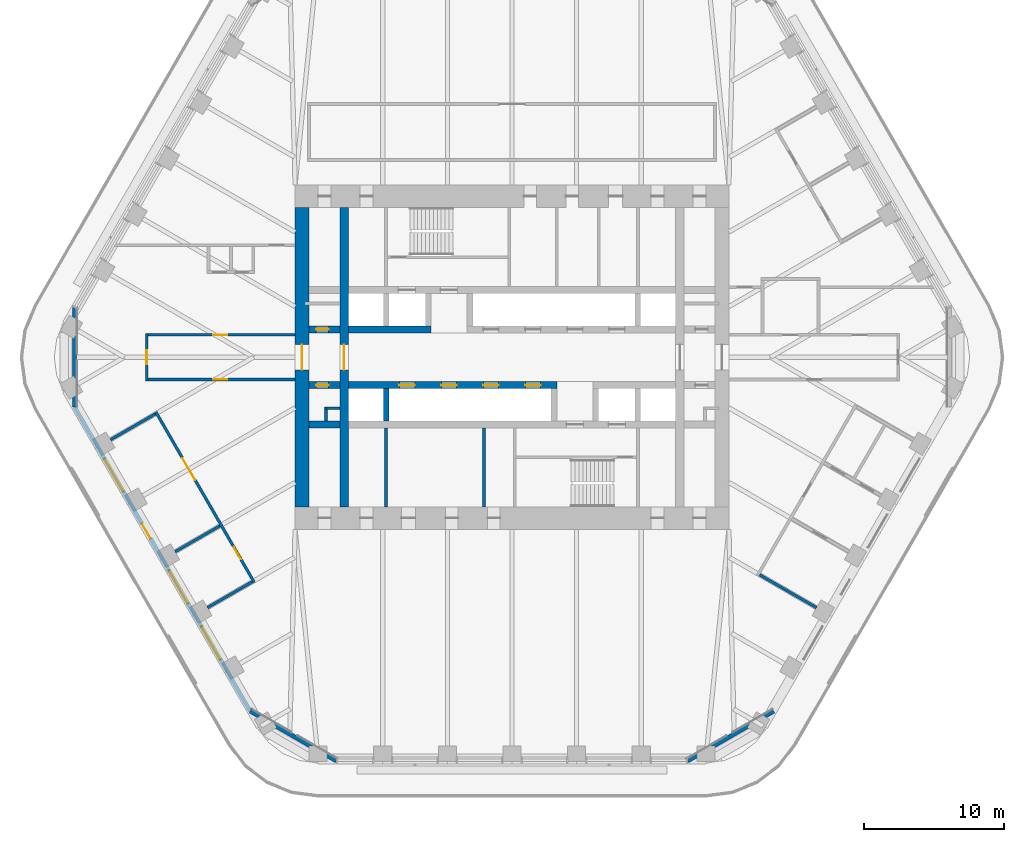
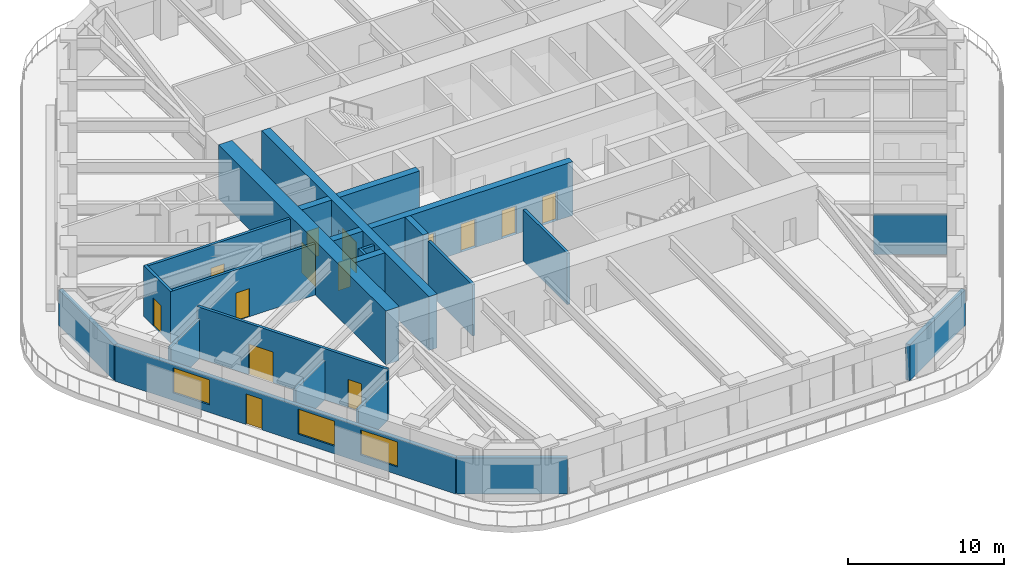
# One storey, part 14 of 20: 24 walls, 14 doors, 3 windows, 17 openings.
"""IFC4 building model written with IfcOpenShell, lengths in metres."""

from ifc_helpers import new_model, si_unit, direction, frame, frame_2d, origin, place, context, subcontext, project, spatial, rectangle, extrude, material, layer, layer_set, type_object, element, fill, save


model = new_model("IFC4")

# Units and contexts
model_context = context("Model", 3, precision=1e-05, world=origin(), true_north=direction((0.0, 1.0)))
body_context = subcontext(model_context, "Body", "Model", "MODEL_VIEW")
ifc_project = project(units=[si_unit("LENGTHUNIT", "METRE"), si_unit("AREAUNIT", "SQUARE_METRE"), si_unit("VOLUMEUNIT", "CUBIC_METRE"), si_unit("PLANEANGLEUNIT", "RADIAN"), si_unit("MASSUNIT", "GRAM", prefix="KILO")], contexts=[model_context])

# Site, building, storey
site_placement = place(None, origin())
site = spatial("IfcSite", under=ifc_project, at=site_placement, CompositionType="ELEMENT")
building_placement = place(site_placement, origin())
building = spatial("IfcBuilding", under=site, at=building_placement, Name="Tarfa Lantern Tower", CompositionType="ELEMENT")
storey_placement = place(building_placement, frame((0.0, 0.0, 249.10009765625)))
storey = spatial("IfcBuildingStorey", under=building, at=storey_placement, Name="L56", CompositionType="ELEMENT", Elevation=249.10009765625)

# Walls
ifc_material_1 = material(Name="Limestone cladding on blockwork", Category="masonry")
ifc_layer_1 = layer(ifc_material_1, 0.300048828125)
ifc_layer_set_1 = layer_set([ifc_layer_1], Name="EW1 STONE-CLAD WALL 300")
wall_type_1 = type_object("IfcWallType", Name="EW1 STONE-CLAD WALL 300", PredefinedType="SOLIDWALL", material=ifc_layer_set_1)
wall_1_placement = place(storey_placement, frame((-31.262939453125, 3.55078125, 0.0), z_axis=(0.0, 0.0, 1.0), x_axis=(0.0, -1.0, 0.0)))
element("IfcWall", 1, at=wall_1_placement, inside=storey, type_object=wall_type_1, Name="Garden wall NW-SW", PredefinedType="SOLIDWALL", context=body_context, shape_type="SweptSolid", body=[
    extrude(rectangle(XDim=7.1015625, YDim=0.300048828125, at=frame_2d((3.55078125, 0.0))), origin(), (0.0, 0.0, 1.0), 2.7998046875),
])
for number, where, z_axis, x_axis, name in (
    (2, (-18.70654296875, -25.299072265625, 0.0), (0.0, 0.0, 1.0), (0.866010973379, -0.500024993363, 0.0), "Garden wall SW-S"),
    (3, (12.556396484375, -28.85009765625, 0.0), (0.0, 0.0, 1.0), (0.866010973379, 0.500024993363, 0.0), "Garden wall S-SE"),
):
    element("IfcWall", number, at=place(storey_placement, frame(where, z_axis=z_axis, x_axis=x_axis)), inside=storey, type_object=wall_type_1, Name=name, PredefinedType="SOLIDWALL", context=body_context, shape_type="SweptSolid", body=[
        extrude(rectangle(XDim=7.101806640625, YDim=0.300048828125, at=frame_2d((3.55078125, 0.0))), origin(), (0.0, 0.0, 1.0), 2.7998046875),
    ])

# Wall, openings, door, windows
wall_2_placement = place(storey_placement, frame((-31.262939453125, -3.55078125, 0.0), z_axis=(0.0, 0.0, 1.0), x_axis=(0.500000442367, -0.866025148383, 0.0)))
wall_2 = element("IfcWall", 4, at=wall_2_placement, inside=storey, type_object=wall_type_1, Name="Stone wall SW", PredefinedType="SOLIDWALL", context=body_context, shape_type="SweptSolid", body=[
    extrude(rectangle(XDim=25.11279296875, YDim=0.300048828125, at=frame_2d((12.556396484375, 0.0))), origin(), (0.0, 0.0, 1.0), 2.7998046875),
])
opening_1_placement = place(wall_2_placement, frame((4.2783203125, 0.0, 0.60009765625)))
opening_1 = element("IfcOpeningElement", 5, at=opening_1_placement, cuts=wall_2, Name="Opening W14", PredefinedType="OPENING", context=body_context, shape_type="SweptSolid", body=[
    extrude(rectangle(XDim=2.699951171875, YDim=1.949951171875, at=frame_2d((1.35009765625, 0.97509765625))), frame((0.0, 0.159912109375, 0.0), z_axis=(0.0, -1.0, 0.0), x_axis=(1.0, 0.0, 0.0)), (0.0, 0.0, 1.0), 0.320068359375),
])
opening_2_placement = place(wall_2_placement, frame((9.64697265625, 0.0, 0.0)))
opening_2 = element("IfcOpeningElement", 6, at=opening_2_placement, cuts=wall_2, Name="Opening D49", PredefinedType="OPENING", context=body_context, shape_type="SweptSolid", body=[
    extrude(rectangle(XDim=1.199951171875, YDim=2.39990234375, at=frame_2d((0.60009765625, 1.199951171875))), frame((0.0, 0.159912109375, 0.0), z_axis=(0.0, -1.0, 0.0), x_axis=(1.0, 0.0, 0.0)), (0.0, 0.0, 1.0), 0.320068359375),
])
opening_3_placement = place(wall_2_placement, frame((13.515869140625, 0.0, 0.60009765625)))
opening_3 = element("IfcOpeningElement", 7, at=opening_3_placement, cuts=wall_2, Name="Opening W14", PredefinedType="OPENING", context=body_context, shape_type="SweptSolid", body=[
    extrude(rectangle(XDim=2.699951171875, YDim=1.949951171875, at=frame_2d((1.35009765625, 0.97509765625))), frame((0.0, 0.159912109375, 0.0), z_axis=(0.0, -1.0, 0.0), x_axis=(1.0, 0.0, 0.0)), (0.0, 0.0, 1.0), 0.320068359375),
])
opening_4_placement = place(wall_2_placement, frame((18.134521484375, 0.0, 0.60009765625)))
opening_4 = element("IfcOpeningElement", 8, at=opening_4_placement, cuts=wall_2, Name="Opening W14", PredefinedType="OPENING", context=body_context, shape_type="SweptSolid", body=[
    extrude(rectangle(XDim=2.699951171875, YDim=1.949951171875, at=frame_2d((1.35009765625, 0.97509765625))), frame((0.0, 0.159912109375, 0.0), z_axis=(0.0, -1.0, 0.0), x_axis=(1.0, 0.0, 0.0)), (0.0, 0.0, 1.0), 0.320068359375),
])
ifc_material_2 = material(Name="Aluminium framed glazed door", Category="aluminium")
door_type_1 = type_object("IfcDoorType", Name="BE3 BALCONY DOOR 1200x2400", OperationType="SINGLE_SWING_RIGHT", PredefinedType="DOOR", material=ifc_material_2)
door_1_placement = place(opening_2_placement, origin())
door_1 = element("IfcDoor", 9, at=door_1_placement, inside=storey, type_object=door_type_1, Name="Balcony door SW", OperationType="SINGLE_SWING_RIGHT", OverallHeight=2.39990234375, OverallWidth=1.199951171875, PredefinedType="DOOR", context=body_context, shape_type="SweptSolid", body=[
    extrude(rectangle(XDim=1.199951171875, YDim=2.39990234375, at=frame_2d((0.60009765625, 1.199951171875))), frame((0.0, 0.02490234375, 0.0), z_axis=(0.0, -1.0, 0.0), x_axis=(1.0, 0.0, 0.0)), (0.0, 0.0, 1.0), 0.050048828125),
])
fill(opening_2, door_1)
ifc_material_3 = material(Name="Aluminium frame, double glazed", Category="aluminium")
window_type = type_object("IfcWindowType", Name="W14 FULL-HEIGHT GLAZING 2700x1950", PartitioningType="SINGLE_PANEL", PredefinedType="WINDOW", material=ifc_material_3)
window_1_placement = place(opening_1_placement, origin())
window_1 = element("IfcWindow", 10, at=window_1_placement, inside=storey, type_object=window_type, Name="Window SW 2", OverallHeight=1.949951171875, OverallWidth=2.699951171875, PartitioningType="SINGLE_PANEL", PredefinedType="WINDOW", context=body_context, shape_type="SweptSolid", body=[
    extrude(rectangle(XDim=2.699951171875, YDim=1.949951171875, at=frame_2d((1.35009765625, 0.97509765625))), frame((0.0, 0.030029296875, 0.0), z_axis=(0.0, -1.0, 0.0), x_axis=(1.0, 0.0, 0.0)), (0.0, 0.0, 1.0), 0.06005859375),
])
fill(opening_1, window_1)
window_2_placement = place(opening_3_placement, origin())
window_2 = element("IfcWindow", 11, at=window_2_placement, inside=storey, type_object=window_type, Name="Window SW 4", OverallHeight=1.949951171875, OverallWidth=2.699951171875, PartitioningType="SINGLE_PANEL", PredefinedType="WINDOW", context=body_context, shape_type="SweptSolid", body=[
    extrude(rectangle(XDim=2.699951171875, YDim=1.949951171875, at=frame_2d((1.35009765625, 0.97509765625))), frame((0.0, 0.030029296875, 0.0), z_axis=(0.0, -1.0, 0.0), x_axis=(1.0, 0.0, 0.0)), (0.0, 0.0, 1.0), 0.06005859375),
])
fill(opening_3, window_2)
window_3_placement = place(opening_4_placement, origin())
window_3 = element("IfcWindow", 12, at=window_3_placement, inside=storey, type_object=window_type, Name="Window SW 5", OverallHeight=1.949951171875, OverallWidth=2.699951171875, PartitioningType="SINGLE_PANEL", PredefinedType="WINDOW", context=body_context, shape_type="SweptSolid", body=[
    extrude(rectangle(XDim=2.699951171875, YDim=1.949951171875, at=frame_2d((1.35009765625, 0.97509765625))), frame((0.0, 0.030029296875, 0.0), z_axis=(0.0, -1.0, 0.0), x_axis=(1.0, 0.0, 0.0)), (0.0, 0.0, 1.0), 0.06005859375),
])
fill(opening_4, window_3)

# Walls
ifc_material_4 = material(Name="Concrete blockwork", Category="masonry")
ifc_layer_2 = layer(ifc_material_4, 0.199951171875)
ifc_layer_set_2 = layer_set([ifc_layer_2], Name="IW1 BLOCKWORK PARTITION 200 EI 120")
wall_type_2 = type_object("IfcWallType", Name="IW1 BLOCKWORK PARTITION 200 EI 120", PredefinedType="PARTITIONING", material=ifc_layer_set_2)
for number, where, z_axis, x_axis, name in (
    (13, (-9.0, -5.050048828125, 0.0), (0.0, 0.0, 1.0), (0.0, -1.0, 0.0), "Core partition"),
    (14, (-2.0, -5.050048828125, 0.0), (0.0, 0.0, 1.0), (0.0, -1.0, 0.0), "Core partition"),
):
    element("IfcWall", number, at=place(storey_placement, frame(where, z_axis=z_axis, x_axis=x_axis)), inside=storey, type_object=wall_type_2, Name=name, PredefinedType="PARTITIONING", context=body_context, shape_type="SweptSolid", body=[
        extrude(rectangle(XDim=5.64990234375, YDim=0.199951171875, at=frame_2d((2.824951171875, 0.0))), origin(), (0.0, 0.0, 1.0), 4.0),
    ])
for number, where, z_axis, x_axis, name in (
    (15, (-12.300048828125, -3.64990234375, 0.0), (0.0, 0.0, 1.0), (-1.0, 0.0, 0.0), "Core partition"),
    (16, (-13.300048828125, -3.550048828125, 0.0), (0.0, 0.0, 1.0), (0.0, -1.0, 0.0), "Core partition"),
):
    element("IfcWall", number, at=place(storey_placement, frame(where, z_axis=z_axis, x_axis=x_axis)), inside=storey, type_object=wall_type_2, Name=name, PredefinedType="PARTITIONING", context=body_context, shape_type="SweptSolid", body=[
        extrude(rectangle(XDim=1.0, YDim=0.199951171875, at=frame_2d((0.5, 0.0))), origin(), (0.0, 0.0, 1.0), 4.0),
    ])
ifc_material_5 = material(Name="Gypsum board on steel studs", Category="steel")
ifc_layer_3 = layer(ifc_material_5, 0.2099609375)
ifc_layer_set_3 = layer_set([ifc_layer_3], Name="IW2 ACOUSTIC PARTITION 200")
wall_type_3 = type_object("IfcWallType", Name="IW2 ACOUSTIC PARTITION 200", PredefinedType="PARTITIONING", material=ifc_layer_set_3)
wall_3_placement = place(storey_placement, frame((17.69580078125, -15.550048828125, 0.0), z_axis=(0.0, 0.0, 1.0), x_axis=(0.866038532462, -0.499977259774, 0.0)))
element("IfcWall", 17, at=wall_3_placement, inside=storey, type_object=wall_type_3, Name="Partition", PredefinedType="PARTITIONING", context=body_context, shape_type="SweptSolid", body=[
    extrude(rectangle(XDim=4.699951171875, YDim=0.199951171875, at=frame_2d((2.35009765625, 0.0))), origin(), (0.0, 0.0, 1.0), 3.08154296875),
])

# Wall, openings, doors
wall_4_placement = place(storey_placement, frame((-25.453369140625, -3.913330078125, 0.0), z_axis=(0.0, 0.0, 1.0), x_axis=(0.499989069193, -0.866031714597, 0.0)))
wall_4 = element("IfcWall", 18, at=wall_4_placement, inside=storey, type_object=wall_type_3, Name="Partition", PredefinedType="PARTITIONING", context=body_context, shape_type="SweptSolid", body=[
    extrude(rectangle(XDim=14.056396484375, YDim=0.199951171875, at=frame_2d((7.0283203125, 0.0))), origin(), (0.0, 0.0, 1.0), 4.0),
])
opening_5_placement = place(wall_4_placement, frame((3.81884765625, 0.0, 0.0)))
opening_5 = element("IfcOpeningElement", 19, at=opening_5_placement, cuts=wall_4, Name="Opening D34", PredefinedType="OPENING", context=body_context, shape_type="SweptSolid", body=[
    extrude(rectangle(XDim=1.800048828125, YDim=2.39990234375, at=frame_2d((0.89990234375, 1.199951171875))), frame((0.0, 0.10986328125, 0.0), z_axis=(0.0, -1.0, 0.0), x_axis=(1.0, 0.0, 0.0)), (0.0, 0.0, 1.0), 0.219970703125),
])
opening_6_placement = place(wall_4_placement, frame((11.14697265625, 0.0, 0.0)))
opening_6 = element("IfcOpeningElement", 20, at=opening_6_placement, cuts=wall_4, Name="Opening D35", PredefinedType="OPENING", context=body_context, shape_type="SweptSolid", body=[
    extrude(rectangle(XDim=1.0, YDim=2.199951171875, at=frame_2d((0.5, 1.10009765625))), frame((0.0, 0.10986328125, 0.0), z_axis=(0.0, -1.0, 0.0), x_axis=(1.0, 0.0, 0.0)), (0.0, 0.0, 1.0), 0.219970703125),
])
ifc_material_6 = material(Name="Timber door", Category="wood")
door_type_2 = type_object("IfcDoorType", Name="DR1 ROOM DOOR 1000x2200", OperationType="SINGLE_SWING_LEFT", PredefinedType="DOOR", material=ifc_material_6)
door_2_placement = place(opening_6_placement, frame((1.0, 0.0, 0.0), z_axis=(0.0, 0.0, 1.0), x_axis=(-1.0, 0.0, 0.0)))
door_2 = element("IfcDoor", 21, at=door_2_placement, inside=storey, type_object=door_type_2, Name="Store door", OperationType="SINGLE_SWING_RIGHT", OverallHeight=2.199951171875, OverallWidth=1.0, PredefinedType="DOOR", context=body_context, shape_type="SweptSolid", body=[
    extrude(rectangle(XDim=1.0, YDim=2.199951171875, at=frame_2d((0.5, 1.10009765625))), frame((0.0, 0.02490234375, 0.0), z_axis=(0.0, -1.0, 0.0), x_axis=(1.0, 0.0, 0.0)), (0.0, 0.0, 1.0), 0.050048828125),
])
fill(opening_6, door_2)
door_type_3 = type_object("IfcDoorType", Name="DR2 ROOM DOOR 1800x2400", OperationType="DOUBLE_DOOR_SINGLE_SWING", PredefinedType="DOOR", material=ifc_material_6)
door_3_placement = place(opening_5_placement, frame((1.800048828125, 0.0, 0.0), z_axis=(0.0, 0.0, 1.0), x_axis=(-1.0, 0.0, 0.0)))
door_3 = element("IfcDoor", 22, at=door_3_placement, inside=storey, type_object=door_type_3, Name="File room door", OperationType="DOUBLE_DOOR_SINGLE_SWING", OverallHeight=2.39990234375, OverallWidth=1.800048828125, PredefinedType="DOOR", context=body_context, shape_type="SweptSolid", body=[
    extrude(rectangle(XDim=1.800048828125, YDim=2.39990234375, at=frame_2d((0.89990234375, 1.199951171875))), frame((0.0, 0.02490234375, 0.0), z_axis=(0.0, -1.0, 0.0), x_axis=(1.0, 0.0, 0.0)), (0.0, 0.0, 1.0), 0.050048828125),
])
fill(opening_5, door_3)

# Walls
for number, where, z_axis, x_axis, name in (
    (23, (-25.489990234375, -4.050048828125, 0.0), (0.0, 0.0, 1.0), (-0.866046040199, -0.499964254978, 0.0), "Partition"),
    (24, (-20.87109375, -12.050048828125, 0.0), (0.0, 0.0, 1.0), (-0.866046040199, -0.499964254978, 0.0), "Partition"),
    (25, (-18.561767578125, -16.050048828125, 0.0), (0.0, 0.0, 1.0), (-0.866046040199, -0.499964254978, 0.0), "Partition"),
):
    element("IfcWall", number, at=place(storey_placement, frame(where, z_axis=z_axis, x_axis=x_axis)), inside=storey, type_object=wall_type_3, Name=name, PredefinedType="PARTITIONING", context=body_context, shape_type="SweptSolid", body=[
        extrude(rectangle(XDim=3.699951171875, YDim=0.199951171875, at=frame_2d((1.85009765625, 0.0))), origin(), (0.0, 0.0, 1.0), 3.08154296875),
    ])

# Wall, opening, door
wall_5_placement = place(storey_placement, frame((-15.5, 1.60009765625, 0.0), z_axis=(0.0, 0.0, 1.0), x_axis=(-1.0, 0.0, 0.0)))
wall_5 = element("IfcWall", 26, at=wall_5_placement, inside=storey, type_object=wall_type_3, Name="Partition", PredefinedType="PARTITIONING", context=body_context, shape_type="SweptSolid", body=[
    extrude(rectangle(XDim=10.699951171875, YDim=0.199951171875, at=frame_2d((5.35009765625, 0.0))), origin(), (0.0, 0.0, 1.0), 4.0),
])
opening_7_placement = place(wall_5_placement, frame((4.85009765625, 0.0, 0.0)))
opening_7 = element("IfcOpeningElement", 27, at=opening_7_placement, cuts=wall_5, Name="Opening D43", PredefinedType="OPENING", context=body_context, shape_type="SweptSolid", body=[
    extrude(rectangle(XDim=1.0, YDim=2.199951171875, at=frame_2d((0.5, 1.10009765625))), frame((0.0, 0.10986328125, 0.0), z_axis=(0.0, -1.0, 0.0), x_axis=(1.0, 0.0, 0.0)), (0.0, 0.0, 1.0), 0.219970703125),
])
door_4_placement = place(opening_7_placement, frame((1.0, 0.0, 0.0), z_axis=(0.0, 0.0, 1.0), x_axis=(-1.0, 0.0, 0.0)))
door_4 = element("IfcDoor", 28, at=door_4_placement, inside=storey, type_object=door_type_2, Name="Corridor door", OperationType="SINGLE_SWING_LEFT", OverallHeight=2.199951171875, OverallWidth=1.0, PredefinedType="DOOR", context=body_context, shape_type="SweptSolid", body=[
    extrude(rectangle(XDim=1.0, YDim=2.199951171875, at=frame_2d((0.5, 1.10009765625))), frame((0.0, 0.02490234375, 0.0), z_axis=(0.0, -1.0, 0.0), x_axis=(1.0, 0.0, 0.0)), (0.0, 0.0, 1.0), 0.050048828125),
])
fill(opening_7, door_4)

wall_6_placement = place(storey_placement, frame((-15.5, -1.60009765625, 0.0), z_axis=(0.0, 0.0, 1.0), x_axis=(-1.0, 0.0, 0.0)))
wall_6 = element("IfcWall", 29, at=wall_6_placement, inside=storey, type_object=wall_type_3, Name="Partition", PredefinedType="PARTITIONING", context=body_context, shape_type="SweptSolid", body=[
    extrude(rectangle(XDim=10.699951171875, YDim=0.199951171875, at=frame_2d((5.35009765625, 0.0))), origin(), (0.0, 0.0, 1.0), 4.0),
])
opening_8_placement = place(wall_6_placement, frame((4.85009765625, 0.0, 0.0)))
opening_8 = element("IfcOpeningElement", 30, at=opening_8_placement, cuts=wall_6, Name="Opening D44", PredefinedType="OPENING", context=body_context, shape_type="SweptSolid", body=[
    extrude(rectangle(XDim=1.0, YDim=2.199951171875, at=frame_2d((0.5, 1.10009765625))), frame((0.0, 0.10986328125, 0.0), z_axis=(0.0, -1.0, 0.0), x_axis=(1.0, 0.0, 0.0)), (0.0, 0.0, 1.0), 0.219970703125),
])
door_5_placement = place(opening_8_placement, origin())
door_5 = element("IfcDoor", 31, at=door_5_placement, inside=storey, type_object=door_type_2, Name="Corridor door", OperationType="SINGLE_SWING_RIGHT", OverallHeight=2.199951171875, OverallWidth=1.0, PredefinedType="DOOR", context=body_context, shape_type="SweptSolid", body=[
    extrude(rectangle(XDim=1.0, YDim=2.199951171875, at=frame_2d((0.5, 1.10009765625))), frame((0.0, 0.02490234375, 0.0), z_axis=(0.0, -1.0, 0.0), x_axis=(1.0, 0.0, 0.0)), (0.0, 0.0, 1.0), 0.050048828125),
])
fill(opening_8, door_5)

wall_7_placement = place(storey_placement, frame((-26.10009765625, -1.699951171875, 0.0), z_axis=(0.0, 0.0, 1.0), x_axis=(0.0, 1.0, 0.0)))
wall_7 = element("IfcWall", 32, at=wall_7_placement, inside=storey, type_object=wall_type_3, Name="Partition", PredefinedType="PARTITIONING", context=body_context, shape_type="SweptSolid", body=[
    extrude(rectangle(XDim=3.39990234375, YDim=0.199951171875, at=frame_2d((1.699951171875, 0.0))), origin(), (0.0, 0.0, 1.0), 4.0),
])
opening_9_placement = place(wall_7_placement, frame((1.199951171875, 0.0, 0.0)))
opening_9 = element("IfcOpeningElement", 33, at=opening_9_placement, cuts=wall_7, Name="Opening D42", PredefinedType="OPENING", context=body_context, shape_type="SweptSolid", body=[
    extrude(rectangle(XDim=1.0, YDim=2.199951171875, at=frame_2d((0.5, 1.10009765625))), frame((0.0, 0.10986328125, 0.0), z_axis=(0.0, -1.0, 0.0), x_axis=(1.0, 0.0, 0.0)), (0.0, 0.0, 1.0), 0.219970703125),
])
door_6_placement = place(opening_9_placement, origin())
door_6 = element("IfcDoor", 34, at=door_6_placement, inside=storey, type_object=door_type_2, Name="Corridor door", OperationType="SINGLE_SWING_RIGHT", OverallHeight=2.199951171875, OverallWidth=1.0, PredefinedType="DOOR", context=body_context, shape_type="SweptSolid", body=[
    extrude(rectangle(XDim=1.0, YDim=2.199951171875, at=frame_2d((0.5, 1.10009765625))), frame((0.0, 0.02490234375, 0.0), z_axis=(0.0, -1.0, 0.0), x_axis=(1.0, 0.0, 0.0)), (0.0, 0.0, 1.0), 0.050048828125),
])
fill(opening_9, door_6)

ifc_material_7 = material(Name="Concrete C80/95", Category="concrete")
ifc_layer_4 = layer(ifc_material_7, 1.0)
ifc_layer_set_4 = layer_set([ifc_layer_4], Name="SW2 CORE WALL 1000")
wall_type_4 = type_object("IfcWallType", Name="SW2 CORE WALL 1000", PredefinedType="SHEAR", material=ifc_layer_set_4)
wall_8_placement = place(storey_placement, frame((-15.0, 10.699951171875, 0.0), z_axis=(0.0, 0.0, 1.0), x_axis=(0.0, -1.0, 0.0)))
wall_8 = element("IfcWall", 35, at=wall_8_placement, inside=storey, type_object=wall_type_4, Name="Core wall W", PredefinedType="SHEAR", context=body_context, shape_type="SweptSolid", body=[
    extrude(rectangle(XDim=21.39990234375, YDim=1.0, at=frame_2d((10.699951171875, 0.0))), origin(), (0.0, 0.0, 1.0), 4.199951171875),
])
opening_10_placement = place(wall_8_placement, frame((9.800048828125, 0.0, 0.0)))
opening_10 = element("IfcOpeningElement", 36, at=opening_10_placement, cuts=wall_8, Name="Opening D12", PredefinedType="OPENING", context=body_context, shape_type="SweptSolid", body=[
    extrude(rectangle(XDim=1.800048828125, YDim=2.39990234375, at=frame_2d((0.89990234375, 1.199951171875))), frame((0.0, 0.510009765625, 0.0), z_axis=(0.0, -1.0, 0.0), x_axis=(1.0, 0.0, 0.0)), (0.0, 0.0, 1.0), 1.02001953125),
])
ifc_material_8 = material(Name="Steel fire door", Category="steel")
door_type_4 = type_object("IfcDoorType", Name="DL1 LOBBY DOOR 1800x2400", OperationType="DOUBLE_DOOR_SINGLE_SWING", PredefinedType="DOOR", material=ifc_material_8)
door_7_placement = place(opening_10_placement, frame((1.800048828125, 0.0, 0.0), z_axis=(0.0, 0.0, 1.0), x_axis=(-1.0, 0.0, 0.0)))
door_7 = element("IfcDoor", 37, at=door_7_placement, inside=storey, type_object=door_type_4, Name="Lift lobby door", OperationType="DOUBLE_DOOR_SINGLE_SWING", OverallHeight=2.39990234375, OverallWidth=1.800048828125, PredefinedType="DOOR", context=body_context, shape_type="SweptSolid", body=[
    extrude(rectangle(XDim=1.800048828125, YDim=2.39990234375, at=frame_2d((0.89990234375, 1.199951171875))), frame((0.0, 0.02490234375, 0.0), z_axis=(0.0, -1.0, 0.0), x_axis=(1.0, 0.0, 0.0)), (0.0, 0.0, 1.0), 0.050048828125),
])
fill(opening_10, door_7)

ifc_layer_5 = layer(ifc_material_7, 0.5)
ifc_layer_set_5 = layer_set([ifc_layer_5], Name="SW5 CORE WALL 500")
wall_type_5 = type_object("IfcWallType", Name="SW5 CORE WALL 500", PredefinedType="SHEAR", material=ifc_layer_set_5)
wall_9_placement = place(storey_placement, frame((-14.5, 2.0, 0.0), z_axis=(0.0, 0.0, 1.0), x_axis=(1.0, 0.0, 0.0)))
wall_9 = element("IfcWall", 38, at=wall_9_placement, inside=storey, type_object=wall_type_5, Name="Core wall lobby west N", PredefinedType="SHEAR", context=body_context, shape_type="SweptSolid", body=[
    extrude(rectangle(XDim=2.199951171875, YDim=0.5, at=frame_2d((1.10009765625, 0.0))), origin(), (0.0, 0.0, 1.0), 4.199951171875),
])
opening_11_placement = place(wall_9_placement, frame((0.5, 0.0, 0.0)))
opening_11 = element("IfcOpeningElement", 39, at=opening_11_placement, cuts=wall_9, Name="Opening D15", PredefinedType="OPENING", context=body_context, shape_type="SweptSolid", body=[
    extrude(rectangle(XDim=0.89990234375, YDim=2.199951171875, at=frame_2d((0.449951171875, 1.10009765625))), frame((0.0, 0.260009765625, 0.0), z_axis=(0.0, -1.0, 0.0), x_axis=(1.0, 0.0, 0.0)), (0.0, 0.0, 1.0), 0.52001953125),
])
door_type_5 = type_object("IfcDoorType", Name="DF6 SERVICE ROOM DOOR 900x2200", OperationType="SINGLE_SWING_LEFT", PredefinedType="DOOR", material=ifc_material_8)
door_8_placement = place(opening_11_placement, origin())
door_8 = element("IfcDoor", 40, at=door_8_placement, inside=storey, type_object=door_type_5, Name="Service room door", OperationType="SINGLE_SWING_RIGHT", OverallHeight=2.199951171875, OverallWidth=0.89990234375, PredefinedType="DOOR", context=body_context, shape_type="SweptSolid", body=[
    extrude(rectangle(XDim=0.89990234375, YDim=2.199951171875, at=frame_2d((0.449951171875, 1.10009765625))), frame((0.0, 0.02490234375, 0.0), z_axis=(0.0, -1.0, 0.0), x_axis=(1.0, 0.0, 0.0)), (0.0, 0.0, 1.0), 0.050048828125),
])
fill(opening_11, door_8)

# Wall
wall_10_placement = place(storey_placement, frame((-11.699951171875, 2.0, 0.0), z_axis=(0.0, 0.0, 1.0), x_axis=(1.0, 0.0, 0.0)))
element("IfcWall", 41, at=wall_10_placement, inside=storey, type_object=wall_type_5, Name="Core wall lobby west N", PredefinedType="SHEAR", context=body_context, shape_type="SweptSolid", body=[
    extrude(rectangle(XDim=5.89990234375, YDim=0.5, at=frame_2d((2.949951171875, 0.0))), origin(), (0.0, 0.0, 1.0), 4.199951171875),
])

# Wall, openings, doors
wall_11_placement = place(storey_placement, frame((3.199951171875, -2.0, 0.0), z_axis=(0.0, 0.0, 1.0), x_axis=(-1.0, 0.0, 0.0)))
wall_11 = element("IfcWall", 42, at=wall_11_placement, inside=storey, type_object=wall_type_5, Name="Core wall lobby east S", PredefinedType="SHEAR", context=body_context, shape_type="SweptSolid", body=[
    extrude(rectangle(XDim=14.89990234375, YDim=0.5, at=frame_2d((7.449951171875, 0.0))), origin(), (0.0, 0.0, 1.0), 4.199951171875),
])
opening_12_placement = place(wall_11_placement, frame((1.14990234375, 0.0, 0.0)))
opening_12 = element("IfcOpeningElement", 43, at=opening_12_placement, cuts=wall_11, Name="Opening LD07", PredefinedType="OPENING", context=body_context, shape_type="SweptSolid", body=[
    extrude(rectangle(XDim=1.10009765625, YDim=2.199951171875, at=frame_2d((0.550048828125, 1.10009765625))), frame((0.0, 0.260009765625, 0.0), z_axis=(0.0, -1.0, 0.0), x_axis=(1.0, 0.0, 0.0)), (0.0, 0.0, 1.0), 0.52001953125),
])
opening_13_placement = place(wall_11_placement, frame((4.14990234375, 0.0, 0.0)))
opening_13 = element("IfcOpeningElement", 44, at=opening_13_placement, cuts=wall_11, Name="Opening LD08", PredefinedType="OPENING", context=body_context, shape_type="SweptSolid", body=[
    extrude(rectangle(XDim=1.10009765625, YDim=2.199951171875, at=frame_2d((0.550048828125, 1.10009765625))), frame((0.0, 0.260009765625, 0.0), z_axis=(0.0, -1.0, 0.0), x_axis=(1.0, 0.0, 0.0)), (0.0, 0.0, 1.0), 0.52001953125),
])
opening_14_placement = place(wall_11_placement, frame((7.14990234375, 0.0, 0.0)))
opening_14 = element("IfcOpeningElement", 45, at=opening_14_placement, cuts=wall_11, Name="Opening LD09", PredefinedType="OPENING", context=body_context, shape_type="SweptSolid", body=[
    extrude(rectangle(XDim=1.10009765625, YDim=2.199951171875, at=frame_2d((0.550048828125, 1.10009765625))), frame((0.0, 0.260009765625, 0.0), z_axis=(0.0, -1.0, 0.0), x_axis=(1.0, 0.0, 0.0)), (0.0, 0.0, 1.0), 0.52001953125),
])
opening_15_placement = place(wall_11_placement, frame((10.14990234375, 0.0, 0.0)))
opening_15 = element("IfcOpeningElement", 46, at=opening_15_placement, cuts=wall_11, Name="Opening LD10", PredefinedType="OPENING", context=body_context, shape_type="SweptSolid", body=[
    extrude(rectangle(XDim=1.10009765625, YDim=2.199951171875, at=frame_2d((0.550048828125, 1.10009765625))), frame((0.0, 0.260009765625, 0.0), z_axis=(0.0, -1.0, 0.0), x_axis=(1.0, 0.0, 0.0)), (0.0, 0.0, 1.0), 0.52001953125),
])
ifc_material_9 = material(Name="Stainless steel lift door", Category="steel")
door_type_6 = type_object("IfcDoorType", Name="LD2 LIFT LANDING DOOR 1100x2200", OperationType="SLIDING_TO_LEFT", PredefinedType="DOOR", material=ifc_material_9)
door_9_placement = place(opening_12_placement, frame((1.10009765625, 0.0, 0.0), z_axis=(0.0, 0.0, 1.0), x_axis=(-1.0, 0.0, 0.0)))
door_9 = element("IfcDoor", 47, at=door_9_placement, inside=storey, type_object=door_type_6, Name="Landing door PC5", OperationType="SLIDING_TO_LEFT", OverallHeight=2.199951171875, OverallWidth=1.10009765625, PredefinedType="DOOR", context=body_context, shape_type="SweptSolid", body=[
    extrude(rectangle(XDim=1.10009765625, YDim=2.199951171875, at=frame_2d((0.550048828125, 1.10009765625))), frame((0.0, 0.02490234375, 0.0), z_axis=(0.0, -1.0, 0.0), x_axis=(1.0, 0.0, 0.0)), (0.0, 0.0, 1.0), 0.050048828125),
])
fill(opening_12, door_9)
door_10_placement = place(opening_13_placement, frame((1.10009765625, 0.0, 0.0), z_axis=(0.0, 0.0, 1.0), x_axis=(-1.0, 0.0, 0.0)))
door_10 = element("IfcDoor", 48, at=door_10_placement, inside=storey, type_object=door_type_6, Name="Landing door PC6", OperationType="SLIDING_TO_LEFT", OverallHeight=2.199951171875, OverallWidth=1.10009765625, PredefinedType="DOOR", context=body_context, shape_type="SweptSolid", body=[
    extrude(rectangle(XDim=1.10009765625, YDim=2.199951171875, at=frame_2d((0.550048828125, 1.10009765625))), frame((0.0, 0.02490234375, 0.0), z_axis=(0.0, -1.0, 0.0), x_axis=(1.0, 0.0, 0.0)), (0.0, 0.0, 1.0), 0.050048828125),
])
fill(opening_13, door_10)
door_11_placement = place(opening_14_placement, frame((1.10009765625, 0.0, 0.0), z_axis=(0.0, 0.0, 1.0), x_axis=(-1.0, 0.0, 0.0)))
door_11 = element("IfcDoor", 49, at=door_11_placement, inside=storey, type_object=door_type_6, Name="Landing door PC7", OperationType="SLIDING_TO_LEFT", OverallHeight=2.199951171875, OverallWidth=1.10009765625, PredefinedType="DOOR", context=body_context, shape_type="SweptSolid", body=[
    extrude(rectangle(XDim=1.10009765625, YDim=2.199951171875, at=frame_2d((0.550048828125, 1.10009765625))), frame((0.0, 0.02490234375, 0.0), z_axis=(0.0, -1.0, 0.0), x_axis=(1.0, 0.0, 0.0)), (0.0, 0.0, 1.0), 0.050048828125),
])
fill(opening_14, door_11)
door_12_placement = place(opening_15_placement, frame((1.10009765625, 0.0, 0.0), z_axis=(0.0, 0.0, 1.0), x_axis=(-1.0, 0.0, 0.0)))
door_12 = element("IfcDoor", 50, at=door_12_placement, inside=storey, type_object=door_type_6, Name="Landing door PC8", OperationType="SLIDING_TO_LEFT", OverallHeight=2.199951171875, OverallWidth=1.10009765625, PredefinedType="DOOR", context=body_context, shape_type="SweptSolid", body=[
    extrude(rectangle(XDim=1.10009765625, YDim=2.199951171875, at=frame_2d((0.550048828125, 1.10009765625))), frame((0.0, 0.02490234375, 0.0), z_axis=(0.0, -1.0, 0.0), x_axis=(1.0, 0.0, 0.0)), (0.0, 0.0, 1.0), 0.050048828125),
])
fill(opening_15, door_12)

# Wall, opening, door
wall_12_placement = place(storey_placement, frame((-12.300048828125, -2.0, 0.0), z_axis=(0.0, 0.0, 1.0), x_axis=(-1.0, 0.0, 0.0)))
wall_12 = element("IfcWall", 51, at=wall_12_placement, inside=storey, type_object=wall_type_5, Name="Core wall lobby east S", PredefinedType="SHEAR", context=body_context, shape_type="SweptSolid", body=[
    extrude(rectangle(XDim=2.199951171875, YDim=0.5, at=frame_2d((1.10009765625, 0.0))), origin(), (0.0, 0.0, 1.0), 4.199951171875),
])
opening_16_placement = place(wall_12_placement, frame((0.800048828125, 0.0, 0.0)))
opening_16 = element("IfcOpeningElement", 52, at=opening_16_placement, cuts=wall_12, Name="Opening D14", PredefinedType="OPENING", context=body_context, shape_type="SweptSolid", body=[
    extrude(rectangle(XDim=0.89990234375, YDim=2.199951171875, at=frame_2d((0.449951171875, 1.10009765625))), frame((0.0, 0.260009765625, 0.0), z_axis=(0.0, -1.0, 0.0), x_axis=(1.0, 0.0, 0.0)), (0.0, 0.0, 1.0), 0.52001953125),
])
door_13_placement = place(opening_16_placement, origin())
door_13 = element("IfcDoor", 53, at=door_13_placement, inside=storey, type_object=door_type_5, Name="Service room door", OperationType="SINGLE_SWING_LEFT", OverallHeight=2.199951171875, OverallWidth=0.89990234375, PredefinedType="DOOR", context=body_context, shape_type="SweptSolid", body=[
    extrude(rectangle(XDim=0.89990234375, YDim=2.199951171875, at=frame_2d((0.449951171875, 1.10009765625))), frame((0.0, 0.02490234375, 0.0), z_axis=(0.0, -1.0, 0.0), x_axis=(1.0, 0.0, 0.0)), (0.0, 0.0, 1.0), 0.050048828125),
])
fill(opening_16, door_13)

# Walls
wall_13_placement = place(storey_placement, frame((-12.300048828125, -4.800048828125, 0.0), z_axis=(0.0, 0.0, 1.0), x_axis=(-1.0, 0.0, 0.0)))
element("IfcWall", 54, at=wall_13_placement, inside=storey, type_object=wall_type_5, Name="Core wall rear S", PredefinedType="SHEAR", context=body_context, shape_type="SweptSolid", body=[
    extrude(rectangle(XDim=2.199951171875, YDim=0.5, at=frame_2d((1.10009765625, 0.0))), origin(), (0.0, 0.0, 1.0), 4.199951171875),
])
ifc_layer_6 = layer(ifc_material_7, 0.39990234375)
ifc_layer_set_6 = layer_set([ifc_layer_6], Name="SW6 CORE WALL 400")
wall_type_6 = type_object("IfcWallType", Name="SW6 CORE WALL 400", PredefinedType="SHEAR", material=ifc_layer_set_6)
wall_14_placement = place(storey_placement, frame((-9.0, -2.25, 0.0), z_axis=(0.0, 0.0, 1.0), x_axis=(0.0, -1.0, 0.0)))
element("IfcWall", 55, at=wall_14_placement, inside=storey, type_object=wall_type_6, Name="Core wall divider S", PredefinedType="SHEAR", context=body_context, shape_type="SweptSolid", body=[
    extrude(rectangle(XDim=2.300048828125, YDim=0.39990234375, at=frame_2d((1.14990234375, 0.0))), origin(), (0.0, 0.0, 1.0), 4.199951171875),
])

# Wall, opening, door
ifc_layer_7 = layer(ifc_material_7, 0.60009765625)
ifc_layer_set_7 = layer_set([ifc_layer_7], Name="SW9 CORE WALL 600")
wall_type_7 = type_object("IfcWallType", Name="SW9 CORE WALL 600", PredefinedType="SHEAR", material=ifc_layer_set_7)
wall_15_placement = place(storey_placement, frame((-12.0, -10.699951171875, 0.0), z_axis=(0.0, 0.0, 1.0), x_axis=(0.0, 1.0, 0.0)))
wall_15 = element("IfcWall", 56, at=wall_15_placement, inside=storey, type_object=wall_type_7, Name="Core wall cross 12 m west", PredefinedType="SHEAR", context=body_context, shape_type="SweptSolid", body=[
    extrude(rectangle(XDim=21.39990234375, YDim=0.60009765625, at=frame_2d((10.699951171875, 0.0))), origin(), (0.0, 0.0, 1.0), 4.199951171875),
])
opening_17_placement = place(wall_15_placement, frame((9.800048828125, 0.0, 0.0)))
opening_17 = element("IfcOpeningElement", 57, at=opening_17_placement, cuts=wall_15, Name="Opening D26", PredefinedType="OPENING", context=body_context, shape_type="SweptSolid", body=[
    extrude(rectangle(XDim=1.800048828125, YDim=2.39990234375, at=frame_2d((0.89990234375, 1.199951171875))), frame((0.0, 0.31005859375, 0.0), z_axis=(0.0, -1.0, 0.0), x_axis=(1.0, 0.0, 0.0)), (0.0, 0.0, 1.0), 0.6201171875),
])
door_14_placement = place(opening_17_placement, origin())
door_14 = element("IfcDoor", 58, at=door_14_placement, inside=storey, type_object=door_type_4, Name="Lift lobby door", OperationType="DOUBLE_DOOR_SINGLE_SWING", OverallHeight=2.39990234375, OverallWidth=1.800048828125, PredefinedType="DOOR", context=body_context, shape_type="SweptSolid", body=[
    extrude(rectangle(XDim=1.800048828125, YDim=2.39990234375, at=frame_2d((0.89990234375, 1.199951171875))), frame((0.0, 0.02490234375, 0.0), z_axis=(0.0, -1.0, 0.0), x_axis=(1.0, 0.0, 0.0)), (0.0, 0.0, 1.0), 0.050048828125),
])
fill(opening_17, door_14)

save(model, "model.ifc")
